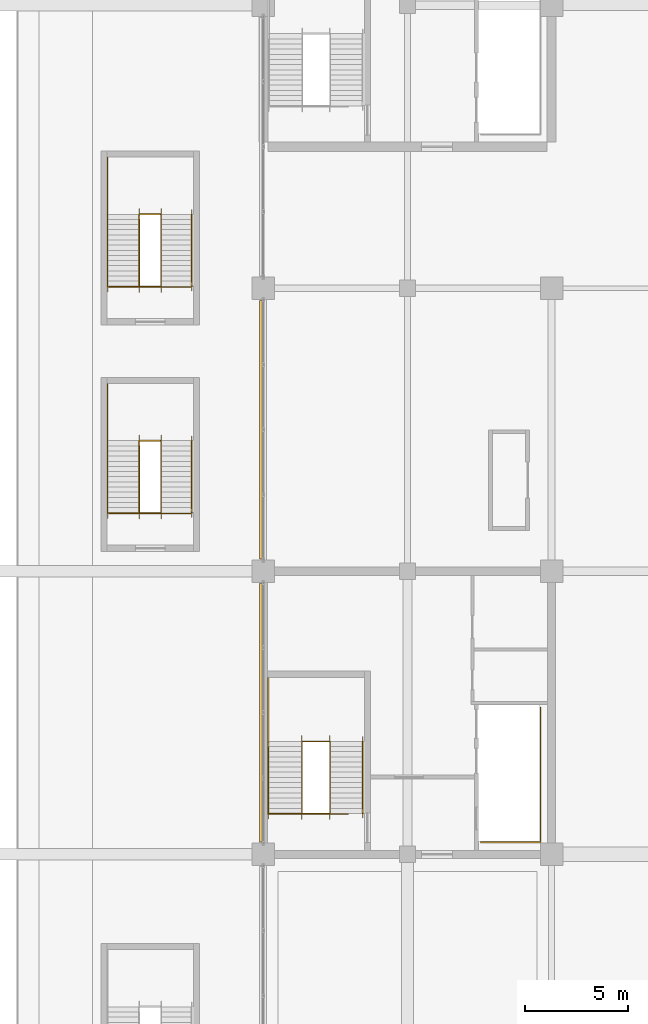
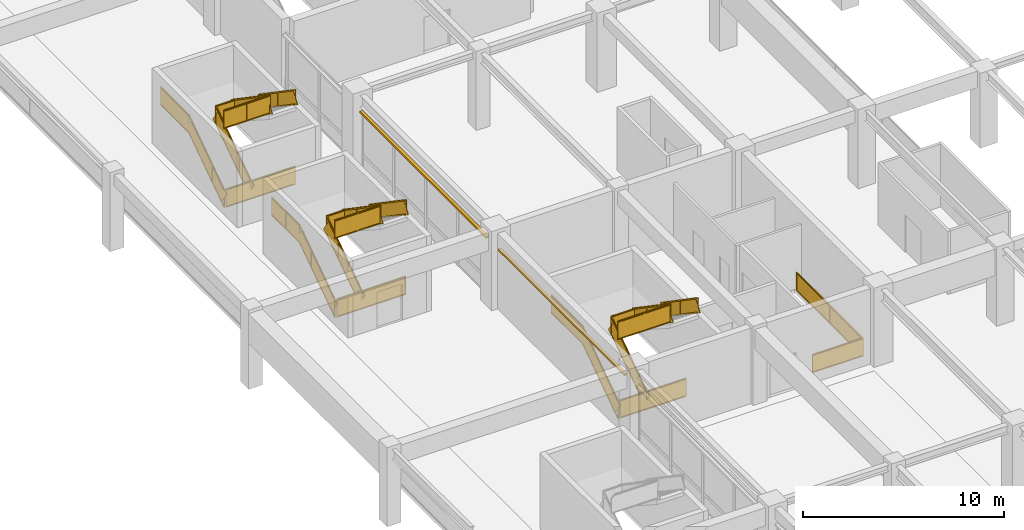
# One storey, part 82 of 91: 13 railings, 2 shading devices.
"""IFC4 building model written with IfcOpenShell, lengths in metres."""

from ifc_helpers import new_model, si_unit, direction, frame, origin, origin_2d, place, context, subcontext, project, spatial, rectangle, extrude, material, layer, layer_set, type_object, element, save


model = new_model("IFC4")

# Units and contexts
model_context = context("Model", 3, precision=1e-05, world=origin(), true_north=direction((0.0, 1.0)))
body_context = subcontext(model_context, "Body", "Model", "MODEL_VIEW")
ifc_project = project(units=[si_unit("LENGTHUNIT", "METRE"), si_unit("AREAUNIT", "SQUARE_METRE"), si_unit("VOLUMEUNIT", "CUBIC_METRE"), si_unit("PLANEANGLEUNIT", "RADIAN"), si_unit("MASSUNIT", "GRAM", prefix="KILO")], contexts=[model_context])

# Site, building, storey
site_placement = place(None, origin())
site = spatial("IfcSite", under=ifc_project, at=site_placement, CompositionType="ELEMENT")
building_placement = place(site_placement, origin())
building = spatial("IfcBuilding", under=site, at=building_placement, Name="Linyun Crest Stadium", CompositionType="ELEMENT")
storey_placement = place(building_placement, frame((0.0, 0.0, 11.39990234375)))
storey = spatial("IfcBuildingStorey", under=building, at=storey_placement, Name="L03", CompositionType="ELEMENT", Elevation=11.39990234375)

# Railings
ifc_material_1 = material(Name="Galvanized and powder-coated steel bowl safety barrier", Category="steel")
railing_type_1 = type_object("IfcRailingType", Name="GR02", PredefinedType="GUARDRAIL", material=ifc_material_1)
railing_1_placement = place(storey_placement, frame((-73.419921875, 2.715087890625, 0.0)))
element("IfcRailing", 1, at=railing_1_placement, inside=storey, type_object=railing_type_1, Name="Slab edge balustrade GR02 45", PredefinedType="GUARDRAIL", context=body_context, shape_type="SweptSolid", body=[
    extrude(rectangle(XDim=0.06005859375, YDim=0.06005859375, at=origin_2d()), frame((0.0, 0.0, 1.090087890625), z_axis=(1.0, 0.0, 0.0), x_axis=(0.0, 1.0, 0.0)), (0.0, 0.0, 1.0), 2.8798828125),
    extrude(rectangle(XDim=0.030029296875, YDim=1.0, at=origin_2d()), frame((0.0, 0.0, 0.56005859375), z_axis=(1.0, 0.0, 0.0), x_axis=(0.0, 1.0, 0.0)), (0.0, 0.0, 1.0), 2.8798828125),
    extrude(rectangle(XDim=0.06005859375, YDim=0.06005859375, at=origin_2d()), frame((0.0, 0.0, 0.030029296875), z_axis=(1.0, 0.0, 0.0), x_axis=(0.0, 1.0, 0.0)), (0.0, 0.0, 1.0), 2.8798828125),
    extrude(rectangle(XDim=0.06005859375, YDim=0.06005859375, at=origin_2d()), frame((2.8798828125, 0.0, 1.090087890625), z_axis=(0.0, 1.0, 0.0), x_axis=(-1.0, 0.0, 0.0)), (0.0, 0.0, 1.0), 6.5498046875),
    extrude(rectangle(XDim=0.030029296875, YDim=1.0, at=origin_2d()), frame((2.8798828125, 0.0, 0.56005859375), z_axis=(0.0, 1.0, 0.0), x_axis=(-1.0, 0.0, 0.0)), (0.0, 0.0, 1.0), 6.5498046875),
    extrude(rectangle(XDim=0.06005859375, YDim=0.06005859375, at=origin_2d()), frame((2.8798828125, 0.0, 0.030029296875), z_axis=(0.0, 1.0, 0.0), x_axis=(-1.0, 0.0, 0.0)), (0.0, 0.0, 1.0), 6.5498046875),
    extrude(rectangle(XDim=0.050048828125, YDim=0.050048828125, at=origin_2d()), origin(), (0.0, 0.0, 1.0), 1.1201171875),
    extrude(rectangle(XDim=0.050048828125, YDim=0.050048828125, at=origin_2d()), frame((2.8798828125, 0.0, 0.0)), (0.0, 0.0, 1.0), 1.1201171875),
    extrude(rectangle(XDim=0.050048828125, YDim=0.050048828125, at=origin_2d()), frame((2.8798828125, 3.27490234375, 0.0)), (0.0, 0.0, 1.0), 1.1201171875),
    extrude(rectangle(XDim=0.050048828125, YDim=0.050048828125, at=origin_2d()), frame((2.8798828125, 6.5498046875, 0.0)), (0.0, 0.0, 1.0), 1.1201171875),
])
railing_2_placement = place(storey_placement, frame((-83.659912109375, 4.0849609375, 0.0)))
element("IfcRailing", 2, at=railing_2_placement, inside=storey, type_object=railing_type_1, Name="Slab edge balustrade GR02 47", PredefinedType="GUARDRAIL", context=body_context, shape_type="SweptSolid", body=[
    extrude(rectangle(XDim=0.06005859375, YDim=0.06005859375, at=origin_2d()), frame((0.0, 0.0, 1.090087890625), z_axis=(1.0, 0.0, 0.0), x_axis=(0.0, 1.0, 0.0)), (0.0, 0.0, 1.0), 3.760009765625),
    extrude(rectangle(XDim=0.030029296875, YDim=1.0, at=origin_2d()), frame((0.0, 0.0, 0.56005859375), z_axis=(1.0, 0.0, 0.0), x_axis=(0.0, 1.0, 0.0)), (0.0, 0.0, 1.0), 3.760009765625),
    extrude(rectangle(XDim=0.06005859375, YDim=0.06005859375, at=origin_2d()), frame((0.0, 0.0, 0.030029296875), z_axis=(1.0, 0.0, 0.0), x_axis=(0.0, 1.0, 0.0)), (0.0, 0.0, 1.0), 3.760009765625),
    extrude(rectangle(XDim=0.050048828125, YDim=0.050048828125, at=origin_2d()), origin(), (0.0, 0.0, 1.0), 1.1201171875),
    extrude(rectangle(XDim=0.050048828125, YDim=0.050048828125, at=origin_2d()), frame((3.760009765625, 0.0, 0.0)), (0.0, 0.0, 1.0), 1.1201171875),
])
for number, where, name in (
    (3, (-91.4599609375, 18.68994140625, 0.0), "Slab edge balustrade GR02 50"),
    (4, (-91.4599609375, 29.68994140625, 0.0), "Slab edge balustrade GR02 51"),
):
    element("IfcRailing", number, at=place(storey_placement, frame(where)), inside=storey, type_object=railing_type_1, Name=name, PredefinedType="GUARDRAIL", context=body_context, shape_type="SweptSolid", body=[
        extrude(rectangle(XDim=0.06005859375, YDim=0.06005859375, at=origin_2d()), frame((0.0, 0.0, 1.090087890625), z_axis=(1.0, 0.0, 0.0), x_axis=(0.0, 1.0, 0.0)), (0.0, 0.0, 1.0), 3.919921875),
        extrude(rectangle(XDim=0.030029296875, YDim=1.0, at=origin_2d()), frame((0.0, 0.0, 0.56005859375), z_axis=(1.0, 0.0, 0.0), x_axis=(0.0, 1.0, 0.0)), (0.0, 0.0, 1.0), 3.919921875),
        extrude(rectangle(XDim=0.06005859375, YDim=0.06005859375, at=origin_2d()), frame((0.0, 0.0, 0.030029296875), z_axis=(1.0, 0.0, 0.0), x_axis=(0.0, 1.0, 0.0)), (0.0, 0.0, 1.0), 3.919921875),
        extrude(rectangle(XDim=0.050048828125, YDim=0.050048828125, at=origin_2d()), origin(), (0.0, 0.0, 1.0), 1.1201171875),
        extrude(rectangle(XDim=0.050048828125, YDim=0.050048828125, at=origin_2d()), frame((3.919921875, 0.0, 0.0)), (0.0, 0.0, 1.0), 1.1201171875),
    ])
ifc_material_2 = material(Name="Painted steel stairwell safety guard", Category="steel")
railing_type_2 = type_object("IfcRailingType", Name="GR03", PredefinedType="GUARDRAIL", material=ifc_material_2)
railing_3_placement = place(storey_placement, frame((-83.77001953125, 4.114990234375, 0.0)))
element("IfcRailing", 5, at=railing_3_placement, inside=storey, type_object=railing_type_2, Name="STR-02-L03 outer guard", PredefinedType="GUARDRAIL", context=body_context, shape_type="SweptSolid", body=[
    extrude(rectangle(XDim=0.06005859375, YDim=0.06005859375, at=origin_2d()), frame((0.0, 0.0, 1.090087890625), z_axis=(0.0, 0.824712752785, 0.565551832633), x_axis=(-1.0, 0.0, 0.0)), (0.0, 0.0, 1.0), 4.243896484375),
    extrude(rectangle(XDim=0.030029296875, YDim=1.0, at=origin_2d()), frame((0.0, 0.0, 0.56005859375), z_axis=(0.0, 0.824712752785, 0.565551832633), x_axis=(-1.0, 0.0, 0.0)), (0.0, 0.0, 1.0), 4.243896484375),
    extrude(rectangle(XDim=0.06005859375, YDim=0.06005859375, at=origin_2d()), frame((0.0, 0.0, 0.030029296875), z_axis=(0.0, 0.824712752785, 0.565551832633), x_axis=(-1.0, 0.0, 0.0)), (0.0, 0.0, 1.0), 4.243896484375),
    extrude(rectangle(XDim=0.06005859375, YDim=0.06005859375, at=origin_2d()), frame((0.0, 3.5, 3.490234375), z_axis=(0.0, 1.0, 0.0), x_axis=(-1.0, 0.0, 0.0)), (0.0, 0.0, 1.0), 3.080078125),
    extrude(rectangle(XDim=0.030029296875, YDim=1.0, at=origin_2d()), frame((0.0, 3.5, 2.960205078125), z_axis=(0.0, 1.0, 0.0), x_axis=(-1.0, 0.0, 0.0)), (0.0, 0.0, 1.0), 3.080078125),
    extrude(rectangle(XDim=0.06005859375, YDim=0.06005859375, at=origin_2d()), frame((0.0, 3.5, 2.43017578125), z_axis=(0.0, 1.0, 0.0), x_axis=(-1.0, 0.0, 0.0)), (0.0, 0.0, 1.0), 3.080078125),
    extrude(rectangle(XDim=0.050048828125, YDim=0.050048828125, at=origin_2d()), origin(), (0.0, 0.0, 1.0), 1.1201171875),
    extrude(rectangle(XDim=0.050048828125, YDim=0.050048828125, at=origin_2d()), frame((0.0, 1.166748046875, 0.800048828125)), (0.0, 0.0, 1.0), 1.1201171875),
    extrude(rectangle(XDim=0.050048828125, YDim=0.050048828125, at=origin_2d()), frame((0.0, 2.333251953125, 1.60009765625)), (0.0, 0.0, 1.0), 1.1201171875),
    extrude(rectangle(XDim=0.050048828125, YDim=0.050048828125, at=origin_2d()), frame((0.0, 3.5, 2.400146484375)), (0.0, 0.0, 1.0), 1.1201171875),
    extrude(rectangle(XDim=0.050048828125, YDim=0.050048828125, at=origin_2d()), frame((0.0, 5.0400390625, 2.400146484375)), (0.0, 0.0, 1.0), 1.1201171875),
    extrude(rectangle(XDim=0.050048828125, YDim=0.050048828125, at=origin_2d()), frame((0.0, 6.580078125, 2.400146484375)), (0.0, 0.0, 1.0), 1.1201171875),
])
railing_4_placement = place(storey_placement, frame((-82.1298828125, 4.094970703125, 0.0)))
element("IfcRailing", 6, at=railing_4_placement, inside=storey, type_object=railing_type_2, Name="STR-02-L03 inner well guard", PredefinedType="GUARDRAIL", context=body_context, shape_type="SweptSolid", body=[
    extrude(rectangle(XDim=0.06005859375, YDim=0.06005859375, at=origin_2d()), frame((0.0, 0.0, 1.090087890625), z_axis=(0.0, 0.826212794201, 0.563358162005), x_axis=(-1.0, 0.0, 0.0)), (0.0, 0.0, 1.0), 4.260498046875),
    extrude(rectangle(XDim=0.030029296875, YDim=1.0, at=origin_2d()), frame((0.0, 0.0, 0.56005859375), z_axis=(0.0, 0.826212794201, 0.563358162005), x_axis=(-1.0, 0.0, 0.0)), (0.0, 0.0, 1.0), 4.260498046875),
    extrude(rectangle(XDim=0.06005859375, YDim=0.06005859375, at=origin_2d()), frame((0.0, 0.0, 0.030029296875), z_axis=(0.0, 0.826212794201, 0.563358162005), x_axis=(-1.0, 0.0, 0.0)), (0.0, 0.0, 1.0), 4.260498046875),
    extrude(rectangle(XDim=0.06005859375, YDim=0.06005859375, at=origin_2d()), frame((0.0, 3.52001953125, 3.490234375), z_axis=(1.0, 0.0, 0.0), x_axis=(0.0, 1.0, 0.0)), (0.0, 0.0, 1.0), 1.35986328125),
    extrude(rectangle(XDim=0.030029296875, YDim=1.0, at=origin_2d()), frame((0.0, 3.52001953125, 2.960205078125), z_axis=(1.0, 0.0, 0.0), x_axis=(0.0, 1.0, 0.0)), (0.0, 0.0, 1.0), 1.35986328125),
    extrude(rectangle(XDim=0.06005859375, YDim=0.06005859375, at=origin_2d()), frame((0.0, 3.52001953125, 2.43017578125), z_axis=(1.0, 0.0, 0.0), x_axis=(0.0, 1.0, 0.0)), (0.0, 0.0, 1.0), 1.35986328125),
    extrude(rectangle(XDim=0.06005859375, YDim=0.06005859375, at=origin_2d()), frame((1.35986328125, 3.52001953125, 3.490234375), z_axis=(0.0, -0.826239466617, 0.563319042644), x_axis=(1.0, 0.0, 0.0)), (0.0, 0.0, 1.0), 4.26025390625),
    extrude(rectangle(XDim=0.030029296875, YDim=1.0, at=origin_2d()), frame((1.35986328125, 3.52001953125, 2.960205078125), z_axis=(0.0, -0.826239466617, 0.563319042644), x_axis=(1.0, 0.0, 0.0)), (0.0, 0.0, 1.0), 4.26025390625),
    extrude(rectangle(XDim=0.06005859375, YDim=0.06005859375, at=origin_2d()), frame((1.35986328125, 3.52001953125, 2.43017578125), z_axis=(0.0, -0.826239466617, 0.563319042644), x_axis=(1.0, 0.0, 0.0)), (0.0, 0.0, 1.0), 4.26025390625),
    extrude(rectangle(XDim=0.06005859375, YDim=0.06005859375, at=origin_2d()), frame((1.35986328125, 0.0, 5.89013671875), z_axis=(-1.0, 0.0, 0.0), x_axis=(0.0, -1.0, 0.0)), (0.0, 0.0, 1.0), 3.010009765625),
    extrude(rectangle(XDim=0.030029296875, YDim=1.0, at=origin_2d()), frame((1.35986328125, 0.0, 5.360107421875), z_axis=(-1.0, 0.0, 0.0), x_axis=(0.0, -1.0, 0.0)), (0.0, 0.0, 1.0), 3.010009765625),
    extrude(rectangle(XDim=0.06005859375, YDim=0.06005859375, at=origin_2d()), frame((1.35986328125, 0.0, 4.830078125), z_axis=(-1.0, 0.0, 0.0), x_axis=(0.0, -1.0, 0.0)), (0.0, 0.0, 1.0), 3.010009765625),
    extrude(rectangle(XDim=0.050048828125, YDim=0.050048828125, at=origin_2d()), origin(), (0.0, 0.0, 1.0), 1.1201171875),
    extrude(rectangle(XDim=0.050048828125, YDim=0.050048828125, at=origin_2d()), frame((0.0, 1.17333984375, 0.800048828125)), (0.0, 0.0, 1.0), 1.1201171875),
    extrude(rectangle(XDim=0.050048828125, YDim=0.050048828125, at=origin_2d()), frame((0.0, 2.3466796875, 1.60009765625)), (0.0, 0.0, 1.0), 1.1201171875),
    extrude(rectangle(XDim=0.050048828125, YDim=0.050048828125, at=origin_2d()), frame((0.0, 3.52001953125, 2.400146484375)), (0.0, 0.0, 1.0), 1.1201171875),
    extrude(rectangle(XDim=0.050048828125, YDim=0.050048828125, at=origin_2d()), frame((1.35986328125, 3.52001953125, 2.400146484375)), (0.0, 0.0, 1.0), 1.1201171875),
    extrude(rectangle(XDim=0.050048828125, YDim=0.050048828125, at=origin_2d()), frame((1.35986328125, 2.3466796875, 3.2001953125)), (0.0, 0.0, 1.0), 1.1201171875),
    extrude(rectangle(XDim=0.050048828125, YDim=0.050048828125, at=origin_2d()), frame((1.35986328125, 1.17333984375, 4.0)), (0.0, 0.0, 1.0), 1.1201171875),
    extrude(rectangle(XDim=0.050048828125, YDim=0.050048828125, at=origin_2d()), frame((1.35986328125, 0.0, 4.800048828125)), (0.0, 0.0, 1.0), 1.1201171875),
    extrude(rectangle(XDim=0.050048828125, YDim=0.050048828125, at=origin_2d()), frame((-0.14501953125, 0.0, 4.800048828125)), (0.0, 0.0, 1.0), 1.1201171875),
    extrude(rectangle(XDim=0.050048828125, YDim=0.050048828125, at=origin_2d()), frame((-1.650146484375, 0.0, 4.800048828125)), (0.0, 0.0, 1.0), 1.1201171875),
])
railing_5_placement = place(storey_placement, frame((-91.570068359375, 18.719970703125, 0.0)))
element("IfcRailing", 7, at=railing_5_placement, inside=storey, type_object=railing_type_2, Name="STR-16-L03 outer guard", PredefinedType="GUARDRAIL", context=body_context, shape_type="SweptSolid", body=[
    extrude(rectangle(XDim=0.06005859375, YDim=0.06005859375, at=origin_2d()), frame((0.0, 0.0, 1.090087890625), z_axis=(0.0, 0.824712752785, 0.565551832633), x_axis=(-1.0, 0.0, 0.0)), (0.0, 0.0, 1.0), 4.243896484375),
    extrude(rectangle(XDim=0.030029296875, YDim=1.0, at=origin_2d()), frame((0.0, 0.0, 0.56005859375), z_axis=(0.0, 0.824712752785, 0.565551832633), x_axis=(-1.0, 0.0, 0.0)), (0.0, 0.0, 1.0), 4.243896484375),
    extrude(rectangle(XDim=0.06005859375, YDim=0.06005859375, at=origin_2d()), frame((0.0, 0.0, 0.030029296875), z_axis=(0.0, 0.824712752785, 0.565551832633), x_axis=(-1.0, 0.0, 0.0)), (0.0, 0.0, 1.0), 4.243896484375),
    extrude(rectangle(XDim=0.06005859375, YDim=0.06005859375, at=origin_2d()), frame((0.0, 3.5, 3.490234375), z_axis=(0.0, 1.0, 0.0), x_axis=(-1.0, 0.0, 0.0)), (0.0, 0.0, 1.0), 2.75),
    extrude(rectangle(XDim=0.030029296875, YDim=1.0, at=origin_2d()), frame((0.0, 3.5, 2.960205078125), z_axis=(0.0, 1.0, 0.0), x_axis=(-1.0, 0.0, 0.0)), (0.0, 0.0, 1.0), 2.75),
    extrude(rectangle(XDim=0.06005859375, YDim=0.06005859375, at=origin_2d()), frame((0.0, 3.5, 2.43017578125), z_axis=(0.0, 1.0, 0.0), x_axis=(-1.0, 0.0, 0.0)), (0.0, 0.0, 1.0), 2.75),
    extrude(rectangle(XDim=0.050048828125, YDim=0.050048828125, at=origin_2d()), origin(), (0.0, 0.0, 1.0), 1.1201171875),
    extrude(rectangle(XDim=0.050048828125, YDim=0.050048828125, at=origin_2d()), frame((0.0, 1.166748046875, 0.800048828125)), (0.0, 0.0, 1.0), 1.1201171875),
    extrude(rectangle(XDim=0.050048828125, YDim=0.050048828125, at=origin_2d()), frame((0.0, 2.333251953125, 1.60009765625)), (0.0, 0.0, 1.0), 1.1201171875),
    extrude(rectangle(XDim=0.050048828125, YDim=0.050048828125, at=origin_2d()), frame((0.0, 3.5, 2.400146484375)), (0.0, 0.0, 1.0), 1.1201171875),
    extrude(rectangle(XDim=0.050048828125, YDim=0.050048828125, at=origin_2d()), frame((0.0, 4.875, 2.400146484375)), (0.0, 0.0, 1.0), 1.1201171875),
    extrude(rectangle(XDim=0.050048828125, YDim=0.050048828125, at=origin_2d()), frame((0.0, 6.25, 2.400146484375)), (0.0, 0.0, 1.0), 1.1201171875),
])
railing_6_placement = place(storey_placement, frame((-90.030029296875, 18.699951171875, 0.0)))
element("IfcRailing", 8, at=railing_6_placement, inside=storey, type_object=railing_type_2, Name="STR-16-L03 inner well guard", PredefinedType="GUARDRAIL", context=body_context, shape_type="SweptSolid", body=[
    extrude(rectangle(XDim=0.06005859375, YDim=0.06005859375, at=origin_2d()), frame((0.0, 0.0, 1.090087890625), z_axis=(0.0, 0.826212794201, 0.563358162005), x_axis=(-1.0, 0.0, 0.0)), (0.0, 0.0, 1.0), 4.260498046875),
    extrude(rectangle(XDim=0.030029296875, YDim=1.0, at=origin_2d()), frame((0.0, 0.0, 0.56005859375), z_axis=(0.0, 0.826212794201, 0.563358162005), x_axis=(-1.0, 0.0, 0.0)), (0.0, 0.0, 1.0), 4.260498046875),
    extrude(rectangle(XDim=0.06005859375, YDim=0.06005859375, at=origin_2d()), frame((0.0, 0.0, 0.030029296875), z_axis=(0.0, 0.826212794201, 0.563358162005), x_axis=(-1.0, 0.0, 0.0)), (0.0, 0.0, 1.0), 4.260498046875),
    extrude(rectangle(XDim=0.06005859375, YDim=0.06005859375, at=origin_2d()), frame((0.0, 3.52001953125, 3.490234375), z_axis=(1.0, 0.0, 0.0), x_axis=(0.0, 1.0, 0.0)), (0.0, 0.0, 1.0), 1.06005859375),
    extrude(rectangle(XDim=0.030029296875, YDim=1.0, at=origin_2d()), frame((0.0, 3.52001953125, 2.960205078125), z_axis=(1.0, 0.0, 0.0), x_axis=(0.0, 1.0, 0.0)), (0.0, 0.0, 1.0), 1.06005859375),
    extrude(rectangle(XDim=0.06005859375, YDim=0.06005859375, at=origin_2d()), frame((0.0, 3.52001953125, 2.43017578125), z_axis=(1.0, 0.0, 0.0), x_axis=(0.0, 1.0, 0.0)), (0.0, 0.0, 1.0), 1.06005859375),
    extrude(rectangle(XDim=0.06005859375, YDim=0.06005859375, at=origin_2d()), frame((1.06005859375, 3.52001953125, 3.490234375), z_axis=(0.0, -0.826239466617, 0.563319042644), x_axis=(1.0, 0.0, 0.0)), (0.0, 0.0, 1.0), 4.26025390625),
    extrude(rectangle(XDim=0.030029296875, YDim=1.0, at=origin_2d()), frame((1.06005859375, 3.52001953125, 2.960205078125), z_axis=(0.0, -0.826239466617, 0.563319042644), x_axis=(1.0, 0.0, 0.0)), (0.0, 0.0, 1.0), 4.26025390625),
    extrude(rectangle(XDim=0.06005859375, YDim=0.06005859375, at=origin_2d()), frame((1.06005859375, 3.52001953125, 2.43017578125), z_axis=(0.0, -0.826239466617, 0.563319042644), x_axis=(1.0, 0.0, 0.0)), (0.0, 0.0, 1.0), 4.26025390625),
    extrude(rectangle(XDim=0.06005859375, YDim=0.06005859375, at=origin_2d()), frame((1.06005859375, 0.0, 5.89013671875), z_axis=(-1.0, 0.0, 0.0), x_axis=(0.0, -1.0, 0.0)), (0.0, 0.0, 1.0), 2.610107421875),
    extrude(rectangle(XDim=0.030029296875, YDim=1.0, at=origin_2d()), frame((1.06005859375, 0.0, 5.360107421875), z_axis=(-1.0, 0.0, 0.0), x_axis=(0.0, -1.0, 0.0)), (0.0, 0.0, 1.0), 2.610107421875),
    extrude(rectangle(XDim=0.06005859375, YDim=0.06005859375, at=origin_2d()), frame((1.06005859375, 0.0, 4.830078125), z_axis=(-1.0, 0.0, 0.0), x_axis=(0.0, -1.0, 0.0)), (0.0, 0.0, 1.0), 2.610107421875),
    extrude(rectangle(XDim=0.050048828125, YDim=0.050048828125, at=origin_2d()), origin(), (0.0, 0.0, 1.0), 1.1201171875),
    extrude(rectangle(XDim=0.050048828125, YDim=0.050048828125, at=origin_2d()), frame((0.0, 1.17333984375, 0.800048828125)), (0.0, 0.0, 1.0), 1.1201171875),
    extrude(rectangle(XDim=0.050048828125, YDim=0.050048828125, at=origin_2d()), frame((0.0, 2.3466796875, 1.60009765625)), (0.0, 0.0, 1.0), 1.1201171875),
    extrude(rectangle(XDim=0.050048828125, YDim=0.050048828125, at=origin_2d()), frame((0.0, 3.52001953125, 2.400146484375)), (0.0, 0.0, 1.0), 1.1201171875),
    extrude(rectangle(XDim=0.050048828125, YDim=0.050048828125, at=origin_2d()), frame((1.06005859375, 3.52001953125, 2.400146484375)), (0.0, 0.0, 1.0), 1.1201171875),
    extrude(rectangle(XDim=0.050048828125, YDim=0.050048828125, at=origin_2d()), frame((1.06005859375, 2.3466796875, 3.2001953125)), (0.0, 0.0, 1.0), 1.1201171875),
    extrude(rectangle(XDim=0.050048828125, YDim=0.050048828125, at=origin_2d()), frame((1.06005859375, 1.17333984375, 4.0)), (0.0, 0.0, 1.0), 1.1201171875),
    extrude(rectangle(XDim=0.050048828125, YDim=0.050048828125, at=origin_2d()), frame((1.06005859375, 0.0, 4.800048828125)), (0.0, 0.0, 1.0), 1.1201171875),
    extrude(rectangle(XDim=0.050048828125, YDim=0.050048828125, at=origin_2d()), frame((-0.2451171875, 0.0, 4.800048828125)), (0.0, 0.0, 1.0), 1.1201171875),
    extrude(rectangle(XDim=0.050048828125, YDim=0.050048828125, at=origin_2d()), frame((-1.550048828125, 0.0, 4.800048828125)), (0.0, 0.0, 1.0), 1.1201171875),
])
railing_7_placement = place(storey_placement, frame((-91.570068359375, 29.719970703125, 0.0)))
element("IfcRailing", 9, at=railing_7_placement, inside=storey, type_object=railing_type_2, Name="STR-17-L03 outer guard", PredefinedType="GUARDRAIL", context=body_context, shape_type="SweptSolid", body=[
    extrude(rectangle(XDim=0.06005859375, YDim=0.06005859375, at=origin_2d()), frame((0.0, 0.0, 1.090087890625), z_axis=(0.0, 0.824712752785, 0.565551832633), x_axis=(-1.0, 0.0, 0.0)), (0.0, 0.0, 1.0), 4.243896484375),
    extrude(rectangle(XDim=0.030029296875, YDim=1.0, at=origin_2d()), frame((0.0, 0.0, 0.56005859375), z_axis=(0.0, 0.824712752785, 0.565551832633), x_axis=(-1.0, 0.0, 0.0)), (0.0, 0.0, 1.0), 4.243896484375),
    extrude(rectangle(XDim=0.06005859375, YDim=0.06005859375, at=origin_2d()), frame((0.0, 0.0, 0.030029296875), z_axis=(0.0, 0.824712752785, 0.565551832633), x_axis=(-1.0, 0.0, 0.0)), (0.0, 0.0, 1.0), 4.243896484375),
    extrude(rectangle(XDim=0.06005859375, YDim=0.06005859375, at=origin_2d()), frame((0.0, 3.5, 3.490234375), z_axis=(0.0, 1.0, 0.0), x_axis=(-1.0, 0.0, 0.0)), (0.0, 0.0, 1.0), 2.75),
    extrude(rectangle(XDim=0.030029296875, YDim=1.0, at=origin_2d()), frame((0.0, 3.5, 2.960205078125), z_axis=(0.0, 1.0, 0.0), x_axis=(-1.0, 0.0, 0.0)), (0.0, 0.0, 1.0), 2.75),
    extrude(rectangle(XDim=0.06005859375, YDim=0.06005859375, at=origin_2d()), frame((0.0, 3.5, 2.43017578125), z_axis=(0.0, 1.0, 0.0), x_axis=(-1.0, 0.0, 0.0)), (0.0, 0.0, 1.0), 2.75),
    extrude(rectangle(XDim=0.050048828125, YDim=0.050048828125, at=origin_2d()), origin(), (0.0, 0.0, 1.0), 1.1201171875),
    extrude(rectangle(XDim=0.050048828125, YDim=0.050048828125, at=origin_2d()), frame((0.0, 1.166748046875, 0.800048828125)), (0.0, 0.0, 1.0), 1.1201171875),
    extrude(rectangle(XDim=0.050048828125, YDim=0.050048828125, at=origin_2d()), frame((0.0, 2.333251953125, 1.60009765625)), (0.0, 0.0, 1.0), 1.1201171875),
    extrude(rectangle(XDim=0.050048828125, YDim=0.050048828125, at=origin_2d()), frame((0.0, 3.5, 2.400146484375)), (0.0, 0.0, 1.0), 1.1201171875),
    extrude(rectangle(XDim=0.050048828125, YDim=0.050048828125, at=origin_2d()), frame((0.0, 4.875, 2.400146484375)), (0.0, 0.0, 1.0), 1.1201171875),
    extrude(rectangle(XDim=0.050048828125, YDim=0.050048828125, at=origin_2d()), frame((0.0, 6.25, 2.400146484375)), (0.0, 0.0, 1.0), 1.1201171875),
])
railing_8_placement = place(storey_placement, frame((-90.030029296875, 29.699951171875, 0.0)))
element("IfcRailing", 10, at=railing_8_placement, inside=storey, type_object=railing_type_2, Name="STR-17-L03 inner well guard", PredefinedType="GUARDRAIL", context=body_context, shape_type="SweptSolid", body=[
    extrude(rectangle(XDim=0.06005859375, YDim=0.06005859375, at=origin_2d()), frame((0.0, 0.0, 1.090087890625), z_axis=(0.0, 0.826212794201, 0.563358162005), x_axis=(-1.0, 0.0, 0.0)), (0.0, 0.0, 1.0), 4.260498046875),
    extrude(rectangle(XDim=0.030029296875, YDim=1.0, at=origin_2d()), frame((0.0, 0.0, 0.56005859375), z_axis=(0.0, 0.826212794201, 0.563358162005), x_axis=(-1.0, 0.0, 0.0)), (0.0, 0.0, 1.0), 4.260498046875),
    extrude(rectangle(XDim=0.06005859375, YDim=0.06005859375, at=origin_2d()), frame((0.0, 0.0, 0.030029296875), z_axis=(0.0, 0.826212794201, 0.563358162005), x_axis=(-1.0, 0.0, 0.0)), (0.0, 0.0, 1.0), 4.260498046875),
    extrude(rectangle(XDim=0.06005859375, YDim=0.06005859375, at=origin_2d()), frame((0.0, 3.52001953125, 3.490234375), z_axis=(1.0, 0.0, 0.0), x_axis=(0.0, 1.0, 0.0)), (0.0, 0.0, 1.0), 1.06005859375),
    extrude(rectangle(XDim=0.030029296875, YDim=1.0, at=origin_2d()), frame((0.0, 3.52001953125, 2.960205078125), z_axis=(1.0, 0.0, 0.0), x_axis=(0.0, 1.0, 0.0)), (0.0, 0.0, 1.0), 1.06005859375),
    extrude(rectangle(XDim=0.06005859375, YDim=0.06005859375, at=origin_2d()), frame((0.0, 3.52001953125, 2.43017578125), z_axis=(1.0, 0.0, 0.0), x_axis=(0.0, 1.0, 0.0)), (0.0, 0.0, 1.0), 1.06005859375),
    extrude(rectangle(XDim=0.06005859375, YDim=0.06005859375, at=origin_2d()), frame((1.06005859375, 3.52001953125, 3.490234375), z_axis=(0.0, -0.826239466617, 0.563319042644), x_axis=(1.0, 0.0, 0.0)), (0.0, 0.0, 1.0), 4.26025390625),
    extrude(rectangle(XDim=0.030029296875, YDim=1.0, at=origin_2d()), frame((1.06005859375, 3.52001953125, 2.960205078125), z_axis=(0.0, -0.826239466617, 0.563319042644), x_axis=(1.0, 0.0, 0.0)), (0.0, 0.0, 1.0), 4.26025390625),
    extrude(rectangle(XDim=0.06005859375, YDim=0.06005859375, at=origin_2d()), frame((1.06005859375, 3.52001953125, 2.43017578125), z_axis=(0.0, -0.826239466617, 0.563319042644), x_axis=(1.0, 0.0, 0.0)), (0.0, 0.0, 1.0), 4.26025390625),
    extrude(rectangle(XDim=0.06005859375, YDim=0.06005859375, at=origin_2d()), frame((1.06005859375, 0.0, 5.89013671875), z_axis=(-1.0, 0.0, 0.0), x_axis=(0.0, -1.0, 0.0)), (0.0, 0.0, 1.0), 2.610107421875),
    extrude(rectangle(XDim=0.030029296875, YDim=1.0, at=origin_2d()), frame((1.06005859375, 0.0, 5.360107421875), z_axis=(-1.0, 0.0, 0.0), x_axis=(0.0, -1.0, 0.0)), (0.0, 0.0, 1.0), 2.610107421875),
    extrude(rectangle(XDim=0.06005859375, YDim=0.06005859375, at=origin_2d()), frame((1.06005859375, 0.0, 4.830078125), z_axis=(-1.0, 0.0, 0.0), x_axis=(0.0, -1.0, 0.0)), (0.0, 0.0, 1.0), 2.610107421875),
    extrude(rectangle(XDim=0.050048828125, YDim=0.050048828125, at=origin_2d()), origin(), (0.0, 0.0, 1.0), 1.1201171875),
    extrude(rectangle(XDim=0.050048828125, YDim=0.050048828125, at=origin_2d()), frame((0.0, 1.17333984375, 0.800048828125)), (0.0, 0.0, 1.0), 1.1201171875),
    extrude(rectangle(XDim=0.050048828125, YDim=0.050048828125, at=origin_2d()), frame((0.0, 2.3466796875, 1.60009765625)), (0.0, 0.0, 1.0), 1.1201171875),
    extrude(rectangle(XDim=0.050048828125, YDim=0.050048828125, at=origin_2d()), frame((0.0, 3.52001953125, 2.400146484375)), (0.0, 0.0, 1.0), 1.1201171875),
    extrude(rectangle(XDim=0.050048828125, YDim=0.050048828125, at=origin_2d()), frame((1.06005859375, 3.52001953125, 2.400146484375)), (0.0, 0.0, 1.0), 1.1201171875),
    extrude(rectangle(XDim=0.050048828125, YDim=0.050048828125, at=origin_2d()), frame((1.06005859375, 2.3466796875, 3.2001953125)), (0.0, 0.0, 1.0), 1.1201171875),
    extrude(rectangle(XDim=0.050048828125, YDim=0.050048828125, at=origin_2d()), frame((1.06005859375, 1.17333984375, 4.0)), (0.0, 0.0, 1.0), 1.1201171875),
    extrude(rectangle(XDim=0.050048828125, YDim=0.050048828125, at=origin_2d()), frame((1.06005859375, 0.0, 4.800048828125)), (0.0, 0.0, 1.0), 1.1201171875),
    extrude(rectangle(XDim=0.050048828125, YDim=0.050048828125, at=origin_2d()), frame((-0.2451171875, 0.0, 4.800048828125)), (0.0, 0.0, 1.0), 1.1201171875),
    extrude(rectangle(XDim=0.050048828125, YDim=0.050048828125, at=origin_2d()), frame((-1.550048828125, 0.0, 4.800048828125)), (0.0, 0.0, 1.0), 1.1201171875),
])
ifc_material_3 = material(Name="Brushed stainless steel tubular handrail", Category="steel")
railing_type_3 = type_object("IfcRailingType", Name="HR01", PredefinedType="HANDRAIL", material=ifc_material_3)
for number, where, name in (
    (11, (-79.179931640625, 7.614990234375, 2.400146484375), "STR-02-L03 handrail"),
    (12, (-87.47998046875, 22.219970703125, 2.400146484375), "STR-16-L03 handrail"),
    (13, (-87.47998046875, 33.219970703125, 2.400146484375), "STR-17-L03 handrail"),
):
    element("IfcRailing", number, at=place(storey_placement, frame(where)), inside=storey, type_object=railing_type_3, Name=name, PredefinedType="HANDRAIL", context=body_context, shape_type="SweptSolid", body=[
        extrude(rectangle(XDim=0.06005859375, YDim=0.06005859375, at=origin_2d()), frame((0.0, 0.0, 0.889892578125), z_axis=(0.0, -0.824739584531, 0.5655127034), x_axis=(1.0, 0.0, 0.0)), (0.0, 0.0, 1.0), 4.24365234375),
        extrude(rectangle(XDim=0.030029296875, YDim=0.7998046875, at=origin_2d()), frame((0.0, 0.0, 0.4599609375), z_axis=(0.0, -0.824739584531, 0.5655127034), x_axis=(1.0, 0.0, 0.0)), (0.0, 0.0, 1.0), 4.24365234375),
        extrude(rectangle(XDim=0.06005859375, YDim=0.06005859375, at=origin_2d()), frame((0.0, 0.0, 0.030029296875), z_axis=(0.0, -0.824739584531, 0.5655127034), x_axis=(1.0, 0.0, 0.0)), (0.0, 0.0, 1.0), 4.24365234375),
        extrude(rectangle(XDim=0.050048828125, YDim=0.050048828125, at=origin_2d()), origin(), (0.0, 0.0, 1.0), 0.919921875),
        extrude(rectangle(XDim=0.050048828125, YDim=0.050048828125, at=origin_2d()), frame((0.0, -1.75, 1.199951171875)), (0.0, 0.0, 1.0), 0.919921875),
        extrude(rectangle(XDim=0.050048828125, YDim=0.050048828125, at=origin_2d()), frame((0.0, -3.5, 2.39990234375)), (0.0, 0.0, 1.0), 0.919921875),
    ])

# Shading devices
ifc_material_4 = material(Name="Glazed ceramic faience brise-soleil screen")
ifc_layer = layer(ifc_material_4, 0.10009765625)
ifc_layer_set = layer_set([ifc_layer], Name="Glazed ceramic faience brise-soleil screen")
shading_device_type = type_object("IfcShadingDeviceType", Name="SD02", PredefinedType="SHUTTER", material=ifc_layer_set)
for number, where, z_axis, x_axis, name in (
    (14, (-84.1201171875, 9.0, 3.56005859375), (0.0, 0.0, 1.0), (1.0, 0.0, 0.0), "Veranda monsoon louvre SD02 250"),
    (15, (-84.1201171875, 22.75, 3.56005859375), (0.0, 0.0, 1.0), (1.0, 0.0, 0.0), "Veranda monsoon louvre SD02 254"),
):
    element("IfcShadingDevice", number, at=place(storey_placement, frame(where, z_axis=z_axis, x_axis=x_axis)), inside=storey, type_object=shading_device_type, Name=name, PredefinedType="SHUTTER", context=body_context, shape_type="SweptSolid", body=[
        extrude(rectangle(XDim=0.159912109375, YDim=12.550048828125, at=origin_2d()), origin(), (0.0, 0.0, 1.0), 0.1201171875),
    ])

save(model, "model.ifc")
